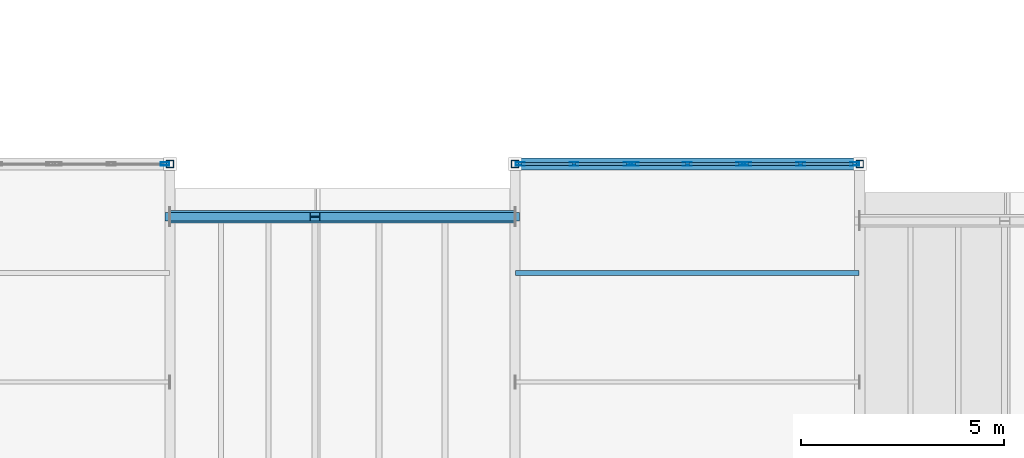
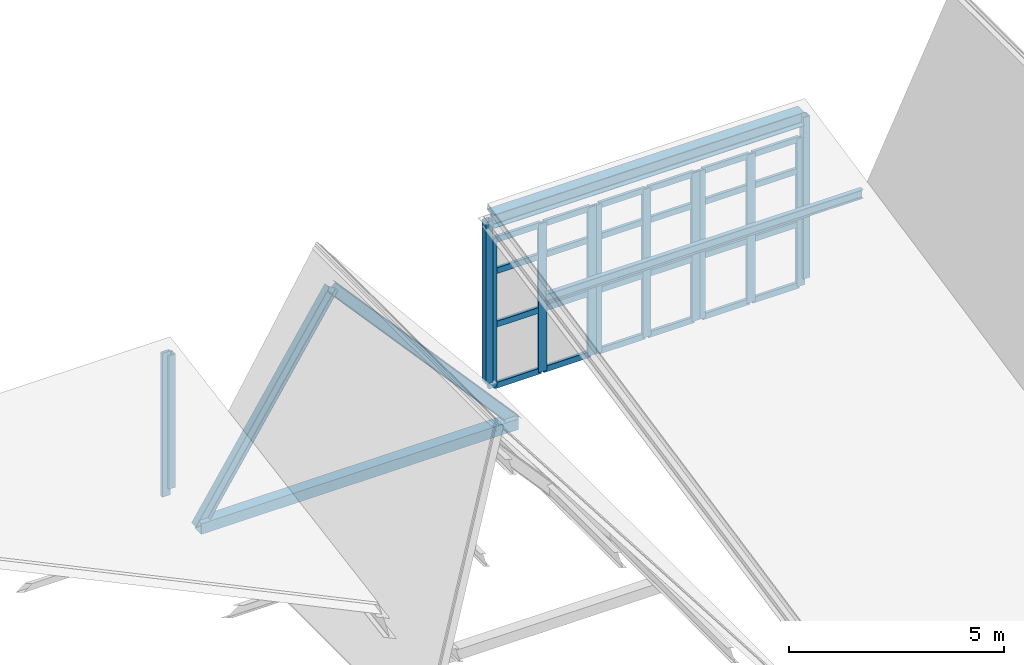
# One storey, part 22 of 77: 41 members, 1 beam, 4 elements without a shape of their own.
"""IFC4 building model written with IfcOpenShell, lengths in metres."""

import ifcopenshell
import ifcopenshell.guid

model = None  # the IFC model being written
_history = None  # IfcOwnerHistory: only IFC2X3 demands one
_inside = {}  # id of a spatial element -> (the spatial element, [elements in it])
_under = {}  # id of a project, library or spatial element -> (it, [spatial elements below it])
_declared = {}  # id of a project -> (the project, [libraries it declares])
_typed = {}  # id of a type object -> (the type object, [elements of that type])
_made_of = {}  # id of a material, layer set ... -> (it, [elements and type objects made of it])


def new_model(schema):
    """Start an empty IFC model of exactly this schema.

    Asked for "IFC4X3", IfcOpenShell would pick the latest addendum, in which some entities
    have other attributes; the version numbers below select the first issue.
    IFC2X3 requires an IfcOwnerHistory on every rooted entity: one is made here for all.
    """
    global model, _history
    if schema == "IFC4X3":
        model = ifcopenshell.file(schema_version=(4, 3, 0, 0))
    else:
        model = ifcopenshell.file(schema=schema)
    _inside.clear()
    _under.clear()
    _declared.clear()
    _typed.clear()
    _made_of.clear()
    _history = None
    if model.schema == "IFC2X3":
        org = make("IfcOrganization", Name="unknown")
        user = make(
            "IfcPersonAndOrganization",
            ThePerson=make("IfcPerson", FamilyName="unknown"),
            TheOrganization=org,
        )
        app = make(
            "IfcApplication",
            ApplicationDeveloper=org,
            Version="unknown",
            ApplicationFullName="unknown",
            ApplicationIdentifier="unknown",
        )
        _history = make(
            "IfcOwnerHistory",
            OwningUser=user,
            OwningApplication=app,
            ChangeAction="ADDED",
            CreationDate=0,
        )
    return model


def make(cls, **values):
    """One entity of the class cls with the attributes given. An attribute that is None is left unset."""
    return model.create_entity(
        cls, **{name: value for name, value in values.items() if value is not None}
    )


def rooted(cls, **values):
    """An entity with a GlobalId (a new one), such as an element, a storey or a relation."""
    return make(cls, GlobalId=ifcopenshell.guid.new(), OwnerHistory=_history, **values)


def si_unit(unit_type, name, prefix=None):
    """IfcSIUnit, for example si_unit("LENGTHUNIT", "METRE", prefix="MILLI")."""
    return make("IfcSIUnit", UnitType=unit_type, Prefix=prefix, Name=name)


def assignment(units):
    """IfcUnitAssignment: the units of a project."""
    return None if units is None else make("IfcUnitAssignment", Units=units)


def point(xyz):
    """IfcCartesianPoint."""
    return None if xyz is None else make("IfcCartesianPoint", Coordinates=xyz)


def direction(xyz):
    """IfcDirection."""
    return None if xyz is None else make("IfcDirection", DirectionRatios=xyz)


def frame(location, z_axis=None, x_axis=None):
    """IfcAxis2Placement3D, a coordinate frame: its origin and axes. An axis left out is left unset."""
    return make(
        "IfcAxis2Placement3D",
        Location=point(location),
        Axis=direction(z_axis),
        RefDirection=direction(x_axis),
    )


def frame_2d(location, x_axis=None):
    """IfcAxis2Placement2D, a coordinate frame in the plane: its origin and x axis."""
    return make(
        "IfcAxis2Placement2D", Location=point(location), RefDirection=direction(x_axis)
    )


def origin():
    """The frame at (0, 0, 0) with its axes left unset."""
    return frame((0.0, 0.0, 0.0))


def origin_2d():
    """The frame at (0, 0) in the plane with its x axis left unset."""
    return frame_2d((0.0, 0.0))


def place(relative_to, where):
    """IfcLocalPlacement: puts the frame where relative to a parent placement (None: the world)."""
    return make(
        "IfcLocalPlacement", PlacementRelTo=relative_to, RelativePlacement=where
    )


def context(
    kind, dimensions, precision=None, world=None, true_north=None, identifier=None
):
    """IfcGeometricRepresentationContext, for example the 3D "Model" context."""
    return make(
        "IfcGeometricRepresentationContext",
        ContextIdentifier=identifier,
        ContextType=kind,
        CoordinateSpaceDimension=dimensions,
        Precision=precision,
        WorldCoordinateSystem=world,
        TrueNorth=true_north,
    )


def subcontext(parent, identifier, kind, view, scale=None):
    """IfcGeometricRepresentationSubContext, for example "Body" below "Model"."""
    return make(
        "IfcGeometricRepresentationSubContext",
        ContextIdentifier=identifier,
        ContextType=kind,
        ParentContext=parent,
        TargetScale=scale,
        TargetView=view,
    )


def project(units=None, contexts=None):
    """IfcProject with its units and contexts."""
    return rooted(
        "IfcProject",
        Name="project",
        RepresentationContexts=contexts,
        UnitsInContext=assignment(units),
    )


def spatial(cls, under=None, at=None, **own):
    """A site, building, storey or space (cls), placed at a placement, below another one or the project."""
    s = rooted(cls, ObjectPlacement=at, **own)
    if under is not None:
        _under.setdefault(under.id(), (under, []))[1].append(s)
    return s


def profile(cls, at=None, kind="AREA", **sizes):
    """A parametric profile (cls). Its sizes go by their IFC names, for example OverallWidth=200.0."""
    return make(cls, ProfileType=kind, Position=at, **sizes)


def hollow_rectangle(**sizes):
    """IfcRectangleHollowProfileDef."""
    return profile("IfcRectangleHollowProfileDef", **sizes)


def i_section(**sizes):
    """IfcIShapeProfileDef."""
    return profile("IfcIShapeProfileDef", **sizes)


def extrude(swept, where, along, depth):
    """IfcExtrudedAreaSolid: the profile swept, set in the frame where, extruded along a direction by depth."""
    return make(
        "IfcExtrudedAreaSolid",
        SweptArea=swept,
        Position=where,
        ExtrudedDirection=direction(along),
        Depth=depth,
    )


def shape(context_of_items, identifier, shape_type, items):
    """IfcShapeRepresentation: the items that make up one representation, for example the "Body"."""
    return make(
        "IfcShapeRepresentation",
        ContextOfItems=context_of_items,
        RepresentationIdentifier=identifier,
        RepresentationType=shape_type,
        Items=items,
    )


def material(Name=None, Category=None):
    """IfcMaterial."""
    return make("IfcMaterial", Name=Name, Category=Category)


def material_profile(
    of_material, cross_section, Name=None, Category=None, Priority=None
):
    """IfcMaterialProfile: a cross section and its material."""
    return make(
        "IfcMaterialProfile",
        Name=Name,
        Material=of_material,
        Profile=cross_section,
        Priority=Priority,
        Category=Category,
    )


def profile_set(profiles, Name=None, composite=None):
    """IfcMaterialProfileSet."""
    return make(
        "IfcMaterialProfileSet",
        Name=Name,
        MaterialProfiles=profiles,
        CompositeProfile=composite,
    )


def made_of(thing, what):
    """Note that an element or type object is made of a material, layer set ...; save() writes the relation."""
    if what is not None:
        _made_of.setdefault(what.id(), (what, []))[1].append(thing)
    return thing


def type_object(cls, material=None, **own):
    """A type object (cls), such as IfcWallType, which elements share."""
    return made_of(rooted(cls, **own), material)


def element(
    cls,
    number,
    at=None,
    inside=None,
    cuts=None,
    type_object=None,
    material=None,
    context=None,
    identifier="Body",
    shape_type=None,
    held_by="IfcProductDefinitionShape",
    body=None,
    shapes=None,
    **own,
):
    """One element of the class cls, such as IfcWall. Its Tag is "e" and its number.

    at: its placement. inside: the storey or other place that contains it. cuts: it is an
    opening in that element (IfcRelVoidsElement). A single representation is given by context,
    identifier, shape_type and body (its items); several are given by shapes. held_by: the class
    of the entity that holds the representations. save() writes the other relations.
    """
    e = rooted(cls, Tag="e%d" % number, ObjectPlacement=at, **own)
    if body is not None:
        shapes = [shape(context, identifier, shape_type, body)]
    if shapes is not None:
        e.Representation = make(held_by, Representations=shapes)
    if inside is not None:
        _inside.setdefault(inside.id(), (inside, []))[1].append(e)
    if cuts is not None:
        rooted(
            "IfcRelVoidsElement", RelatingBuildingElement=cuts, RelatedOpeningElement=e
        )
    if type_object is not None:
        _typed.setdefault(type_object.id(), (type_object, []))[1].append(e)
    return made_of(e, material)


def aggregate(whole, parts):
    """IfcRelAggregates: a whole, such as a stair, and the parts it consists of."""
    return rooted("IfcRelAggregates", RelatingObject=whole, RelatedObjects=parts)


def save(model, path):
    """Write the relations noted so far, then the file.

    IfcRelAggregates (storeys below a building ...), IfcRelContainedInSpatialStructure (elements
    in a storey), IfcRelDefinesByType, IfcRelAssociatesMaterial and IfcRelDeclares: one each for
    every whole, place, type object, material and project.
    """
    for whole, parts in _under.values():
        aggregate(whole, parts)
    for where, things in _inside.values():
        rooted(
            "IfcRelContainedInSpatialStructure",
            RelatedElements=things,
            RelatingStructure=where,
        )
    for kind, things in _typed.values():
        rooted("IfcRelDefinesByType", RelatedObjects=things, RelatingType=kind)
    for what, things in _made_of.values():
        rooted("IfcRelAssociatesMaterial", RelatedObjects=things, RelatingMaterial=what)
    for by, libraries in _declared.values():
        rooted("IfcRelDeclares", RelatingContext=by, RelatedDefinitions=libraries)
    model.write(path)


model = new_model("IFC4")

# Units and contexts
model_context = context("Model", 3, precision=1e-05, world=origin(), true_north=direction((0.0, 1.0)))
body_context = subcontext(model_context, "Body", "Model", "MODEL_VIEW")
ifc_project = project(units=[si_unit("LENGTHUNIT", "METRE"), si_unit("AREAUNIT", "SQUARE_METRE"), si_unit("VOLUMEUNIT", "CUBIC_METRE"), si_unit("PLANEANGLEUNIT", "RADIAN"), si_unit("MASSUNIT", "GRAM", prefix="KILO"), si_unit("THERMODYNAMICTEMPERATUREUNIT", "KELVIN"), si_unit("POWERUNIT", "WATT")], contexts=[model_context])

# Site, building, storey
site_placement = place(None, origin())
site = spatial("IfcSite", under=ifc_project, at=site_placement, CompositionType="ELEMENT")
building_placement = place(site_placement, origin())
building = spatial("IfcBuilding", under=site, at=building_placement, Name="Zhenchuan Central Fire Station", CompositionType="ELEMENT")
storey_placement = place(building_placement, frame((0.0, 0.0, 10.050048828125)))
storey = spatial("IfcBuildingStorey", under=building, at=storey_placement, Name="L03", CompositionType="ELEMENT", Elevation=10.050048828125)

# Beam
ifc_material_1 = material(Name="Steel Q355B", Category="steel")
ifc_material_profile_1 = material_profile(ifc_material_1, i_section(OverallWidth=0.300048828125, OverallDepth=0.389892578125, WebThickness=0.010009765625, FlangeThickness=0.01611328125, FilletRadius=0.02001953125, at=origin_2d()), Name="HM 390x300")
ifc_profile_set_1 = profile_set([ifc_material_profile_1], Name="Steel Q355B")
beam_type = type_object("IfcBeamType", Name="BM-HM390-INT", PredefinedType="BEAM", material=ifc_profile_set_1)
beam_placement = place(storey_placement, frame((73.090087890625, 35.5, 4.579833984375), z_axis=(1.0, 0.0, 0.0), x_axis=(0.0, 1.0, 0.0)))
element("IfcBeam", 1, at=beam_placement, inside=storey, type_object=beam_type, Name="Pavilion H03 North-Light Ridge Girder", PredefinedType="BEAM", context=body_context, shape_type="SweptSolid", body=[
    extrude(i_section(OverallWidth=0.300048828125, OverallDepth=0.389892578125, WebThickness=0.010009765625, FlangeThickness=0.01611328125, FilletRadius=0.02001953125, at=origin_2d()), origin(), (0.0, 0.0, 1.0), 8.31982421875),
])

# Curtain wall, member
ifc_material_2 = material(Name="Anodised aluminium and low-E glazing", Category="aluminium")
curtain_wall_type_1 = type_object("IfcCurtainWallType", Name="CW-MOD-20", PredefinedType="USERDEFINED", material=ifc_material_2)
curtain_wall_1_placement = place(storey_placement, origin())
curtain_wall_1 = element("IfcCurtainWall", 2, at=curtain_wall_1_placement, inside=storey, type_object=curtain_wall_type_1, Name="L03 Unitised Curtain Wall 003", ObjectType="UNITISED GLAZING", PredefinedType="USERDEFINED")
ifc_material_3 = material(Name="Anodised aluminium EN AW-6063", Category="aluminium")
ifc_material_profile_2 = material_profile(ifc_material_3, hollow_rectangle(XDim=0.080078125, YDim=0.219970703125, WallThickness=0.005615234375, at=origin_2d()), Name="ALU-M 220x80")
ifc_profile_set_2 = profile_set([ifc_material_profile_2], Name="Anodised aluminium EN AW-6063")
member_type_1 = type_object("IfcMemberType", Name="CW-MUL200", PredefinedType="MULLION", material=ifc_profile_set_2)
member_1_placement = place(storey_placement, frame((64.37451171875, 35.5, -0.2041015625), z_axis=(0.0, 0.0, 1.0), x_axis=(0.0, 1.0, 0.0)))
member_1 = element("IfcMember", 3, at=member_1_placement, type_object=member_type_1, Name="CW-20 mullion 3", PredefinedType="MULLION", context=body_context, shape_type="SweptSolid", body=[
    extrude(hollow_rectangle(XDim=0.080078125, YDim=0.219970703125, WallThickness=0.005615234375, at=origin_2d()), origin(), (0.0, 0.0, 1.0), 4.073974609375),
])
aggregate(curtain_wall_1, [member_1])

# Curtain wall, members
curtain_wall_2_placement = place(storey_placement, origin())
curtain_wall_2 = element("IfcCurtainWall", 4, at=curtain_wall_2_placement, inside=storey, type_object=curtain_wall_type_1, Name="L03 Unitised Curtain Wall 004", ObjectType="UNITISED GLAZING", PredefinedType="USERDEFINED")
member_2_placement = place(storey_placement, frame((73.12548828125, 35.5, -0.2041015625), z_axis=(0.0, 0.0, 1.0), x_axis=(0.0, 1.0, 0.0)))
member_2 = element("IfcMember", 5, at=member_2_placement, type_object=member_type_1, Name="CW-20 mullion 1", PredefinedType="MULLION", context=body_context, shape_type="SweptSolid", body=[
    extrude(hollow_rectangle(XDim=0.080078125, YDim=0.219970703125, WallThickness=0.005615234375, at=origin_2d()), origin(), (0.0, 0.0, 1.0), 4.2041015625),
])
member_3_placement = place(storey_placement, frame((74.456298828125, 35.5, -0.2041015625), z_axis=(0.0, 0.0, 1.0), x_axis=(0.0, 1.0, 0.0)))
member_3 = element("IfcMember", 6, at=member_3_placement, type_object=member_type_1, Name="CW-20 mullion 2", PredefinedType="MULLION", context=body_context, shape_type="SweptSolid", body=[
    extrude(hollow_rectangle(XDim=0.080078125, YDim=0.219970703125, WallThickness=0.005615234375, at=origin_2d()), origin(), (0.0, 0.0, 1.0), 4.2041015625),
])
member_4_placement = place(storey_placement, frame((75.787109375, 35.5, -0.2041015625), z_axis=(0.0, 0.0, 1.0), x_axis=(0.0, 1.0, 0.0)))
member_4 = element("IfcMember", 7, at=member_4_placement, type_object=member_type_1, Name="CW-20 mullion 3", PredefinedType="MULLION", context=body_context, shape_type="SweptSolid", body=[
    extrude(hollow_rectangle(XDim=0.080078125, YDim=0.219970703125, WallThickness=0.005615234375, at=origin_2d()), origin(), (0.0, 0.0, 1.0), 4.2041015625),
])

curtain_wall_type_2 = type_object("IfcCurtainWallType", Name="CW-MOD-21", PredefinedType="USERDEFINED", material=ifc_material_2)
curtain_wall_3_placement = place(storey_placement, origin())
curtain_wall_3 = element("IfcCurtainWall", 8, at=curtain_wall_3_placement, inside=storey, type_object=curtain_wall_type_2, Name="L03 Unitised Curtain Wall 005", ObjectType="UNITISED GLAZING", PredefinedType="USERDEFINED")
member_5_placement = place(storey_placement, frame((75.938232421875, 35.5, -0.2041015625), z_axis=(0.0, 0.0, 1.0), x_axis=(0.0, 1.0, 0.0)))
member_5 = element("IfcMember", 9, at=member_5_placement, type_object=member_type_1, Name="CW-21 mullion 1", PredefinedType="MULLION", context=body_context, shape_type="SweptSolid", body=[
    extrude(hollow_rectangle(XDim=0.080078125, YDim=0.219970703125, WallThickness=0.005615234375, at=origin_2d()), origin(), (0.0, 0.0, 1.0), 4.2041015625),
])
member_6_placement = place(storey_placement, frame((77.25, 35.5, -0.2041015625), z_axis=(0.0, 0.0, 1.0), x_axis=(0.0, 1.0, 0.0)))
member_6 = element("IfcMember", 10, at=member_6_placement, type_object=member_type_1, Name="CW-21 mullion 2", PredefinedType="MULLION", context=body_context, shape_type="SweptSolid", body=[
    extrude(hollow_rectangle(XDim=0.080078125, YDim=0.219970703125, WallThickness=0.005615234375, at=origin_2d()), origin(), (0.0, 0.0, 1.0), 4.2041015625),
])
member_7_placement = place(storey_placement, frame((78.561767578125, 35.5, -0.2041015625), z_axis=(0.0, 0.0, 1.0), x_axis=(0.0, 1.0, 0.0)))
member_7 = element("IfcMember", 11, at=member_7_placement, type_object=member_type_1, Name="CW-21 mullion 3", PredefinedType="MULLION", context=body_context, shape_type="SweptSolid", body=[
    extrude(hollow_rectangle(XDim=0.080078125, YDim=0.219970703125, WallThickness=0.005615234375, at=origin_2d()), origin(), (0.0, 0.0, 1.0), 4.2041015625),
])

curtain_wall_type_3 = type_object("IfcCurtainWallType", Name="CW-MOD-22", PredefinedType="USERDEFINED", material=ifc_material_2)
curtain_wall_4_placement = place(storey_placement, origin())
curtain_wall_4 = element("IfcCurtainWall", 12, at=curtain_wall_4_placement, inside=storey, type_object=curtain_wall_type_3, Name="L03 Unitised Curtain Wall 006", ObjectType="UNITISED GLAZING", PredefinedType="USERDEFINED")
member_8_placement = place(storey_placement, frame((78.712890625, 35.5, -0.2041015625), z_axis=(0.0, 0.0, 1.0), x_axis=(0.0, 1.0, 0.0)))
member_8 = element("IfcMember", 13, at=member_8_placement, type_object=member_type_1, Name="CW-22 mullion 1", PredefinedType="MULLION", context=body_context, shape_type="SweptSolid", body=[
    extrude(hollow_rectangle(XDim=0.080078125, YDim=0.219970703125, WallThickness=0.005615234375, at=origin_2d()), origin(), (0.0, 0.0, 1.0), 4.2041015625),
])
member_9_placement = place(storey_placement, frame((80.043701171875, 35.5, -0.2041015625), z_axis=(0.0, 0.0, 1.0), x_axis=(0.0, 1.0, 0.0)))
member_9 = element("IfcMember", 14, at=member_9_placement, type_object=member_type_1, Name="CW-22 mullion 2", PredefinedType="MULLION", context=body_context, shape_type="SweptSolid", body=[
    extrude(hollow_rectangle(XDim=0.080078125, YDim=0.219970703125, WallThickness=0.005615234375, at=origin_2d()), origin(), (0.0, 0.0, 1.0), 4.2041015625),
])
member_10_placement = place(storey_placement, frame((81.37451171875, 35.5, -0.2041015625), z_axis=(0.0, 0.0, 1.0), x_axis=(0.0, 1.0, 0.0)))
member_10 = element("IfcMember", 15, at=member_10_placement, type_object=member_type_1, Name="CW-22 mullion 3", PredefinedType="MULLION", context=body_context, shape_type="SweptSolid", body=[
    extrude(hollow_rectangle(XDim=0.080078125, YDim=0.219970703125, WallThickness=0.005615234375, at=origin_2d()), origin(), (0.0, 0.0, 1.0), 4.2041015625),
])

# Member
ifc_material_profile_3 = material_profile(ifc_material_3, hollow_rectangle(XDim=0.080078125, YDim=0.1650390625, WallThickness=0.0048828125, at=origin_2d()), Name="ALU-T 165x80")
ifc_profile_set_3 = profile_set([ifc_material_profile_3], Name="Anodised aluminium EN AW-6063")
member_type_2 = type_object("IfcMemberType", Name="CW-TRN150", PredefinedType="NOTDEFINED", material=ifc_profile_set_3)
member_11_placement = place(storey_placement, frame((73.1630859375, 35.5, -0.16650390625), z_axis=(1.0, 0.0, 0.0), x_axis=(0.0, 1.0, 0.0)))
member_11 = element("IfcMember", 16, at=member_11_placement, type_object=member_type_2, Name="CW-20 transom 1.1", ObjectType="TRANSOM", PredefinedType="USERDEFINED", context=body_context, shape_type="SweptSolid", body=[
    extrude(hollow_rectangle(XDim=0.080078125, YDim=0.1650390625, WallThickness=0.0048828125, at=origin_2d()), origin(), (0.0, 0.0, 1.0), 1.255859375),
])

member_12_placement = place(storey_placement, frame((73.1630859375, 35.5, 1.56396484375), z_axis=(1.0, 0.0, 0.0), x_axis=(0.0, 1.0, 0.0)))
member_12 = element("IfcMember", 17, at=member_12_placement, type_object=member_type_2, Name="CW-20 transom 1.2", ObjectType="TRANSOM", PredefinedType="USERDEFINED", context=body_context, shape_type="SweptSolid", body=[
    extrude(hollow_rectangle(XDim=0.080078125, YDim=0.1650390625, WallThickness=0.0048828125, at=origin_2d()), origin(), (0.0, 0.0, 1.0), 1.255859375),
])

member_13_placement = place(storey_placement, frame((73.1630859375, 35.5, 3.075927734375), z_axis=(1.0, 0.0, 0.0), x_axis=(0.0, 1.0, 0.0)))
member_13 = element("IfcMember", 18, at=member_13_placement, type_object=member_type_2, Name="CW-20 transom 1.3", ObjectType="TRANSOM", PredefinedType="USERDEFINED", context=body_context, shape_type="SweptSolid", body=[
    extrude(hollow_rectangle(XDim=0.080078125, YDim=0.1650390625, WallThickness=0.0048828125, at=origin_2d()), origin(), (0.0, 0.0, 1.0), 1.255859375),
])

member_14_placement = place(storey_placement, frame((73.1630859375, 35.5, 3.96240234375), z_axis=(1.0, 0.0, 0.0), x_axis=(0.0, 1.0, 0.0)))
member_14 = element("IfcMember", 19, at=member_14_placement, type_object=member_type_2, Name="CW-20 transom 1.4", ObjectType="TRANSOM", PredefinedType="USERDEFINED", context=body_context, shape_type="SweptSolid", body=[
    extrude(hollow_rectangle(XDim=0.080078125, YDim=0.1650390625, WallThickness=0.0048828125, at=origin_2d()), origin(), (0.0, 0.0, 1.0), 1.255859375),
])

member_15_placement = place(storey_placement, frame((74.493896484375, 35.5, -0.16650390625), z_axis=(1.0, 0.0, 0.0), x_axis=(0.0, 1.0, 0.0)))
member_15 = element("IfcMember", 20, at=member_15_placement, type_object=member_type_2, Name="CW-20 transom 2.1", ObjectType="TRANSOM", PredefinedType="USERDEFINED", context=body_context, shape_type="SweptSolid", body=[
    extrude(hollow_rectangle(XDim=0.080078125, YDim=0.1650390625, WallThickness=0.0048828125, at=origin_2d()), origin(), (0.0, 0.0, 1.0), 1.255859375),
])

member_16_placement = place(storey_placement, frame((74.493896484375, 35.5, 1.56396484375), z_axis=(1.0, 0.0, 0.0), x_axis=(0.0, 1.0, 0.0)))
member_16 = element("IfcMember", 21, at=member_16_placement, type_object=member_type_2, Name="CW-20 transom 2.2", ObjectType="TRANSOM", PredefinedType="USERDEFINED", context=body_context, shape_type="SweptSolid", body=[
    extrude(hollow_rectangle(XDim=0.080078125, YDim=0.1650390625, WallThickness=0.0048828125, at=origin_2d()), origin(), (0.0, 0.0, 1.0), 1.255859375),
])

member_17_placement = place(storey_placement, frame((74.493896484375, 35.5, 3.075927734375), z_axis=(1.0, 0.0, 0.0), x_axis=(0.0, 1.0, 0.0)))
member_17 = element("IfcMember", 22, at=member_17_placement, type_object=member_type_2, Name="CW-20 transom 2.3", ObjectType="TRANSOM", PredefinedType="USERDEFINED", context=body_context, shape_type="SweptSolid", body=[
    extrude(hollow_rectangle(XDim=0.080078125, YDim=0.1650390625, WallThickness=0.0048828125, at=origin_2d()), origin(), (0.0, 0.0, 1.0), 1.255859375),
])

member_18_placement = place(storey_placement, frame((74.493896484375, 35.5, 3.96240234375), z_axis=(1.0, 0.0, 0.0), x_axis=(0.0, 1.0, 0.0)))
member_18 = element("IfcMember", 23, at=member_18_placement, type_object=member_type_2, Name="CW-20 transom 2.4", ObjectType="TRANSOM", PredefinedType="USERDEFINED", context=body_context, shape_type="SweptSolid", body=[
    extrude(hollow_rectangle(XDim=0.080078125, YDim=0.1650390625, WallThickness=0.0048828125, at=origin_2d()), origin(), (0.0, 0.0, 1.0), 1.255859375),
])

aggregate(curtain_wall_2, [member_2, member_3, member_4, member_11, member_12, member_13, member_14, member_15, member_16, member_17, member_18])

member_19_placement = place(storey_placement, frame((75.9755859375, 35.5, -0.16650390625), z_axis=(1.0, 0.0, 0.0), x_axis=(0.0, 1.0, 0.0)))
member_19 = element("IfcMember", 24, at=member_19_placement, type_object=member_type_2, Name="CW-21 transom 1.1", ObjectType="TRANSOM", PredefinedType="USERDEFINED", context=body_context, shape_type="SweptSolid", body=[
    extrude(hollow_rectangle(XDim=0.080078125, YDim=0.1650390625, WallThickness=0.0048828125, at=origin_2d()), origin(), (0.0, 0.0, 1.0), 1.23681640625),
])

member_20_placement = place(storey_placement, frame((75.9755859375, 35.5, 1.56396484375), z_axis=(1.0, 0.0, 0.0), x_axis=(0.0, 1.0, 0.0)))
member_20 = element("IfcMember", 25, at=member_20_placement, type_object=member_type_2, Name="CW-21 transom 1.2", ObjectType="TRANSOM", PredefinedType="USERDEFINED", context=body_context, shape_type="SweptSolid", body=[
    extrude(hollow_rectangle(XDim=0.080078125, YDim=0.1650390625, WallThickness=0.0048828125, at=origin_2d()), origin(), (0.0, 0.0, 1.0), 1.23681640625),
])

member_21_placement = place(storey_placement, frame((75.9755859375, 35.5, 3.075927734375), z_axis=(1.0, 0.0, 0.0), x_axis=(0.0, 1.0, 0.0)))
member_21 = element("IfcMember", 26, at=member_21_placement, type_object=member_type_2, Name="CW-21 transom 1.3", ObjectType="TRANSOM", PredefinedType="USERDEFINED", context=body_context, shape_type="SweptSolid", body=[
    extrude(hollow_rectangle(XDim=0.080078125, YDim=0.1650390625, WallThickness=0.0048828125, at=origin_2d()), origin(), (0.0, 0.0, 1.0), 1.23681640625),
])

member_22_placement = place(storey_placement, frame((75.9755859375, 35.5, 3.96240234375), z_axis=(1.0, 0.0, 0.0), x_axis=(0.0, 1.0, 0.0)))
member_22 = element("IfcMember", 27, at=member_22_placement, type_object=member_type_2, Name="CW-21 transom 1.4", ObjectType="TRANSOM", PredefinedType="USERDEFINED", context=body_context, shape_type="SweptSolid", body=[
    extrude(hollow_rectangle(XDim=0.080078125, YDim=0.1650390625, WallThickness=0.0048828125, at=origin_2d()), origin(), (0.0, 0.0, 1.0), 1.23681640625),
])

member_23_placement = place(storey_placement, frame((77.28759765625, 35.5, -0.16650390625), z_axis=(1.0, 0.0, 0.0), x_axis=(0.0, 1.0, 0.0)))
member_23 = element("IfcMember", 28, at=member_23_placement, type_object=member_type_2, Name="CW-21 transom 2.1", ObjectType="TRANSOM", PredefinedType="USERDEFINED", context=body_context, shape_type="SweptSolid", body=[
    extrude(hollow_rectangle(XDim=0.080078125, YDim=0.1650390625, WallThickness=0.0048828125, at=origin_2d()), origin(), (0.0, 0.0, 1.0), 1.23681640625),
])

member_24_placement = place(storey_placement, frame((77.28759765625, 35.5, 1.56396484375), z_axis=(1.0, 0.0, 0.0), x_axis=(0.0, 1.0, 0.0)))
member_24 = element("IfcMember", 29, at=member_24_placement, type_object=member_type_2, Name="CW-21 transom 2.2", ObjectType="TRANSOM", PredefinedType="USERDEFINED", context=body_context, shape_type="SweptSolid", body=[
    extrude(hollow_rectangle(XDim=0.080078125, YDim=0.1650390625, WallThickness=0.0048828125, at=origin_2d()), origin(), (0.0, 0.0, 1.0), 1.23681640625),
])

member_25_placement = place(storey_placement, frame((77.28759765625, 35.5, 3.075927734375), z_axis=(1.0, 0.0, 0.0), x_axis=(0.0, 1.0, 0.0)))
member_25 = element("IfcMember", 30, at=member_25_placement, type_object=member_type_2, Name="CW-21 transom 2.3", ObjectType="TRANSOM", PredefinedType="USERDEFINED", context=body_context, shape_type="SweptSolid", body=[
    extrude(hollow_rectangle(XDim=0.080078125, YDim=0.1650390625, WallThickness=0.0048828125, at=origin_2d()), origin(), (0.0, 0.0, 1.0), 1.23681640625),
])

member_26_placement = place(storey_placement, frame((77.28759765625, 35.5, 3.96240234375), z_axis=(1.0, 0.0, 0.0), x_axis=(0.0, 1.0, 0.0)))
member_26 = element("IfcMember", 31, at=member_26_placement, type_object=member_type_2, Name="CW-21 transom 2.4", ObjectType="TRANSOM", PredefinedType="USERDEFINED", context=body_context, shape_type="SweptSolid", body=[
    extrude(hollow_rectangle(XDim=0.080078125, YDim=0.1650390625, WallThickness=0.0048828125, at=origin_2d()), origin(), (0.0, 0.0, 1.0), 1.23681640625),
])

aggregate(curtain_wall_3, [member_5, member_6, member_7, member_19, member_20, member_21, member_22, member_23, member_24, member_25, member_26])

member_27_placement = place(storey_placement, frame((78.750244140625, 35.5, -0.16650390625), z_axis=(1.0, 0.0, 0.0), x_axis=(0.0, 1.0, 0.0)))
member_27 = element("IfcMember", 32, at=member_27_placement, type_object=member_type_2, Name="CW-22 transom 1.1", ObjectType="TRANSOM", PredefinedType="USERDEFINED", context=body_context, shape_type="SweptSolid", body=[
    extrude(hollow_rectangle(XDim=0.080078125, YDim=0.1650390625, WallThickness=0.0048828125, at=origin_2d()), origin(), (0.0, 0.0, 1.0), 1.255859375),
])

member_28_placement = place(storey_placement, frame((78.750244140625, 35.5, 1.56396484375), z_axis=(1.0, 0.0, 0.0), x_axis=(0.0, 1.0, 0.0)))
member_28 = element("IfcMember", 33, at=member_28_placement, type_object=member_type_2, Name="CW-22 transom 1.2", ObjectType="TRANSOM", PredefinedType="USERDEFINED", context=body_context, shape_type="SweptSolid", body=[
    extrude(hollow_rectangle(XDim=0.080078125, YDim=0.1650390625, WallThickness=0.0048828125, at=origin_2d()), origin(), (0.0, 0.0, 1.0), 1.255859375),
])

member_29_placement = place(storey_placement, frame((78.750244140625, 35.5, 3.075927734375), z_axis=(1.0, 0.0, 0.0), x_axis=(0.0, 1.0, 0.0)))
member_29 = element("IfcMember", 34, at=member_29_placement, type_object=member_type_2, Name="CW-22 transom 1.3", ObjectType="TRANSOM", PredefinedType="USERDEFINED", context=body_context, shape_type="SweptSolid", body=[
    extrude(hollow_rectangle(XDim=0.080078125, YDim=0.1650390625, WallThickness=0.0048828125, at=origin_2d()), origin(), (0.0, 0.0, 1.0), 1.255859375),
])

member_30_placement = place(storey_placement, frame((78.750244140625, 35.5, 3.96240234375), z_axis=(1.0, 0.0, 0.0), x_axis=(0.0, 1.0, 0.0)))
member_30 = element("IfcMember", 35, at=member_30_placement, type_object=member_type_2, Name="CW-22 transom 1.4", ObjectType="TRANSOM", PredefinedType="USERDEFINED", context=body_context, shape_type="SweptSolid", body=[
    extrude(hollow_rectangle(XDim=0.080078125, YDim=0.1650390625, WallThickness=0.0048828125, at=origin_2d()), origin(), (0.0, 0.0, 1.0), 1.255859375),
])

member_31_placement = place(storey_placement, frame((80.0810546875, 35.5, -0.16650390625), z_axis=(1.0, 0.0, 0.0), x_axis=(0.0, 1.0, 0.0)))
member_31 = element("IfcMember", 36, at=member_31_placement, type_object=member_type_2, Name="CW-22 transom 2.1", ObjectType="TRANSOM", PredefinedType="USERDEFINED", context=body_context, shape_type="SweptSolid", body=[
    extrude(hollow_rectangle(XDim=0.080078125, YDim=0.1650390625, WallThickness=0.0048828125, at=origin_2d()), origin(), (0.0, 0.0, 1.0), 1.255859375),
])

member_32_placement = place(storey_placement, frame((80.0810546875, 35.5, 1.56396484375), z_axis=(1.0, 0.0, 0.0), x_axis=(0.0, 1.0, 0.0)))
member_32 = element("IfcMember", 37, at=member_32_placement, type_object=member_type_2, Name="CW-22 transom 2.2", ObjectType="TRANSOM", PredefinedType="USERDEFINED", context=body_context, shape_type="SweptSolid", body=[
    extrude(hollow_rectangle(XDim=0.080078125, YDim=0.1650390625, WallThickness=0.0048828125, at=origin_2d()), origin(), (0.0, 0.0, 1.0), 1.255859375),
])

member_33_placement = place(storey_placement, frame((80.0810546875, 35.5, 3.075927734375), z_axis=(1.0, 0.0, 0.0), x_axis=(0.0, 1.0, 0.0)))
member_33 = element("IfcMember", 38, at=member_33_placement, type_object=member_type_2, Name="CW-22 transom 2.3", ObjectType="TRANSOM", PredefinedType="USERDEFINED", context=body_context, shape_type="SweptSolid", body=[
    extrude(hollow_rectangle(XDim=0.080078125, YDim=0.1650390625, WallThickness=0.0048828125, at=origin_2d()), origin(), (0.0, 0.0, 1.0), 1.255859375),
])

member_34_placement = place(storey_placement, frame((80.0810546875, 35.5, 3.96240234375), z_axis=(1.0, 0.0, 0.0), x_axis=(0.0, 1.0, 0.0)))
member_34 = element("IfcMember", 39, at=member_34_placement, type_object=member_type_2, Name="CW-22 transom 2.4", ObjectType="TRANSOM", PredefinedType="USERDEFINED", context=body_context, shape_type="SweptSolid", body=[
    extrude(hollow_rectangle(XDim=0.080078125, YDim=0.1650390625, WallThickness=0.0048828125, at=origin_2d()), origin(), (0.0, 0.0, 1.0), 1.255859375),
])

aggregate(curtain_wall_4, [member_8, member_9, member_10, member_27, member_28, member_29, member_30, member_31, member_32, member_33, member_34])

# Members
ifc_material_profile_4 = material_profile(ifc_material_1, i_section(OverallWidth=0.125, OverallDepth=0.25, WebThickness=0.006103515625, FlangeThickness=0.009033203125, FilletRadius=0.011962890625, at=origin_2d()), Name="HN 250x125")
ifc_profile_set_4 = profile_set([ifc_material_profile_4], Name="Steel Q355B")
member_type_3 = type_object("IfcMemberType", Name="MB-PR-HN250", PredefinedType="PURLIN", material=ifc_profile_set_4)
member_35_placement = place(storey_placement, frame((73.014892578125, 32.81103515625, 4.0078125), z_axis=(1.0, 0.0, 0.0), x_axis=(0.0, 1.0, 0.0)))
element("IfcMember", 40, at=member_35_placement, inside=storey, type_object=member_type_3, Name="Pavilion H03 Roof Purlin 8", PredefinedType="PURLIN", context=body_context, shape_type="SweptSolid", body=[
    extrude(i_section(OverallWidth=0.125, OverallDepth=0.25, WebThickness=0.006103515625, FlangeThickness=0.009033203125, FilletRadius=0.011962890625, at=origin_2d()), origin(), (0.0, 0.0, 1.0), 8.47021484375),
])
ifc_material_profile_5 = material_profile(ifc_material_1, hollow_rectangle(XDim=0.300048828125, YDim=0.300048828125, WallThickness=0.011962890625, at=origin_2d()), Name="SHS 300x300x12")
ifc_profile_set_5 = profile_set([ifc_material_profile_5], Name="Steel Q355B")
member_type_4 = type_object("IfcMemberType", Name="MB-PS-HW250", PredefinedType="POST", material=ifc_profile_set_5)
member_36_placement = place(storey_placement, frame((64.5, 34.199951171875, -0.330078125), z_axis=(1.0, 0.0, 0.0), x_axis=(0.0, 1.0, 0.0)))
element("IfcMember", 41, at=member_36_placement, inside=storey, type_object=member_type_4, Name="Pavilion H02 Gable Bottom Chord 4", PredefinedType="CHORD", context=body_context, shape_type="SweptSolid", body=[
    extrude(hollow_rectangle(XDim=0.300048828125, YDim=0.300048828125, WallThickness=0.011962890625, at=origin_2d()), origin(), (0.0, 0.0, 1.0), 8.5),
])
ifc_material_profile_6 = material_profile(ifc_material_1, hollow_rectangle(XDim=0.179931640625, YDim=0.179931640625, WallThickness=0.010009765625, at=origin_2d()), Name="SHS 180x180x10")
ifc_profile_set_6 = profile_set([ifc_material_profile_6], Name="Steel Q355B")
member_type_5 = type_object("IfcMemberType", Name="MB-PS-SHS180", PredefinedType="POST", material=ifc_profile_set_6)
member_37_placement = place(storey_placement, frame((64.5, 35.5, 0.0), z_axis=(0.0, 0.0, 1.0), x_axis=(1.0, 0.0, 0.0)))
element("IfcMember", 42, at=member_37_placement, inside=storey, type_object=member_type_5, Name="Pavilion H01 North-Light Truss Post 2", PredefinedType="POST", context=body_context, shape_type="SweptSolid", body=[
    extrude(hollow_rectangle(XDim=0.179931640625, YDim=0.179931640625, WallThickness=0.010009765625, at=origin_2d()), origin(), (0.0, 0.0, 1.0), 3.78515625),
])
for number, where, z_axis, x_axis, name in (
    (43, (73.0, 35.5, 0.0), (0.0, 0.0, 1.0), (1.0, 0.0, 0.0), "Pavilion H03 North-Light Truss Post 1"),
    (44, (81.5, 35.5, 0.0), (0.0, 0.0, 1.0), (1.0, 0.0, 0.0), "Pavilion H03 North-Light Truss Post 2"),
):
    element("IfcMember", number, at=place(storey_placement, frame(where, z_axis=z_axis, x_axis=x_axis)), inside=storey, type_object=member_type_5, Name=name, PredefinedType="POST", context=body_context, shape_type="SweptSolid", body=[
        extrude(hollow_rectangle(XDim=0.179931640625, YDim=0.179931640625, WallThickness=0.010009765625, at=origin_2d()), origin(), (0.0, 0.0, 1.0), 4.579833984375),
    ])
ifc_material_profile_7 = material_profile(ifc_material_1, i_section(OverallWidth=0.199951171875, OverallDepth=0.2939453125, WebThickness=0.008056640625, FlangeThickness=0.011962890625, FilletRadius=0.01611328125, at=origin_2d()), Name="HM 294x200")
ifc_profile_set_7 = profile_set([ifc_material_profile_7], Name="Steel Q355B")
member_type_6 = type_object("IfcMemberType", Name="MB-RF-HM294", PredefinedType="RAFTER", material=ifc_profile_set_7)
member_38_placement = place(storey_placement, frame((64.5, 34.199951171875, -0.330078125), z_axis=(0.542763322926, 0.0, 0.839885691798), x_axis=(0.0, 1.0, 0.0)))
element("IfcMember", 45, at=member_38_placement, inside=storey, type_object=member_type_6, Name="Pavilion H02 West Gable Rafter 4", PredefinedType="RAFTER", context=body_context, shape_type="SweptSolid", body=[
    extrude(i_section(OverallWidth=0.199951171875, OverallDepth=0.2939453125, WebThickness=0.008056640625, FlangeThickness=0.011962890625, FilletRadius=0.01611328125, at=origin_2d()), origin(), (0.0, 0.0, 1.0), 6.57763671875),
])
member_39_placement = place(storey_placement, frame((68.070068359375, 34.199951171875, 5.1943359375), z_axis=(0.665821794059, 0.0, -0.746110808497), x_axis=(0.0, 1.0, 0.0)))
element("IfcMember", 46, at=member_39_placement, inside=storey, type_object=member_type_6, Name="Pavilion H02 East Gable Rafter 4", PredefinedType="RAFTER", context=body_context, shape_type="SweptSolid", body=[
    extrude(i_section(OverallWidth=0.199951171875, OverallDepth=0.2939453125, WebThickness=0.008056640625, FlangeThickness=0.011962890625, FilletRadius=0.01611328125, at=origin_2d()), origin(), (0.0, 0.0, 1.0), 7.404296875),
])

save(model, "model.ifc")
